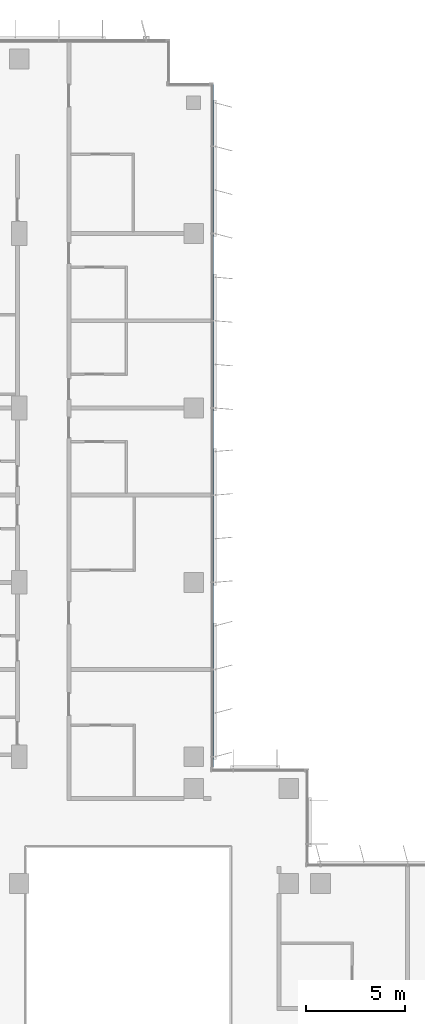
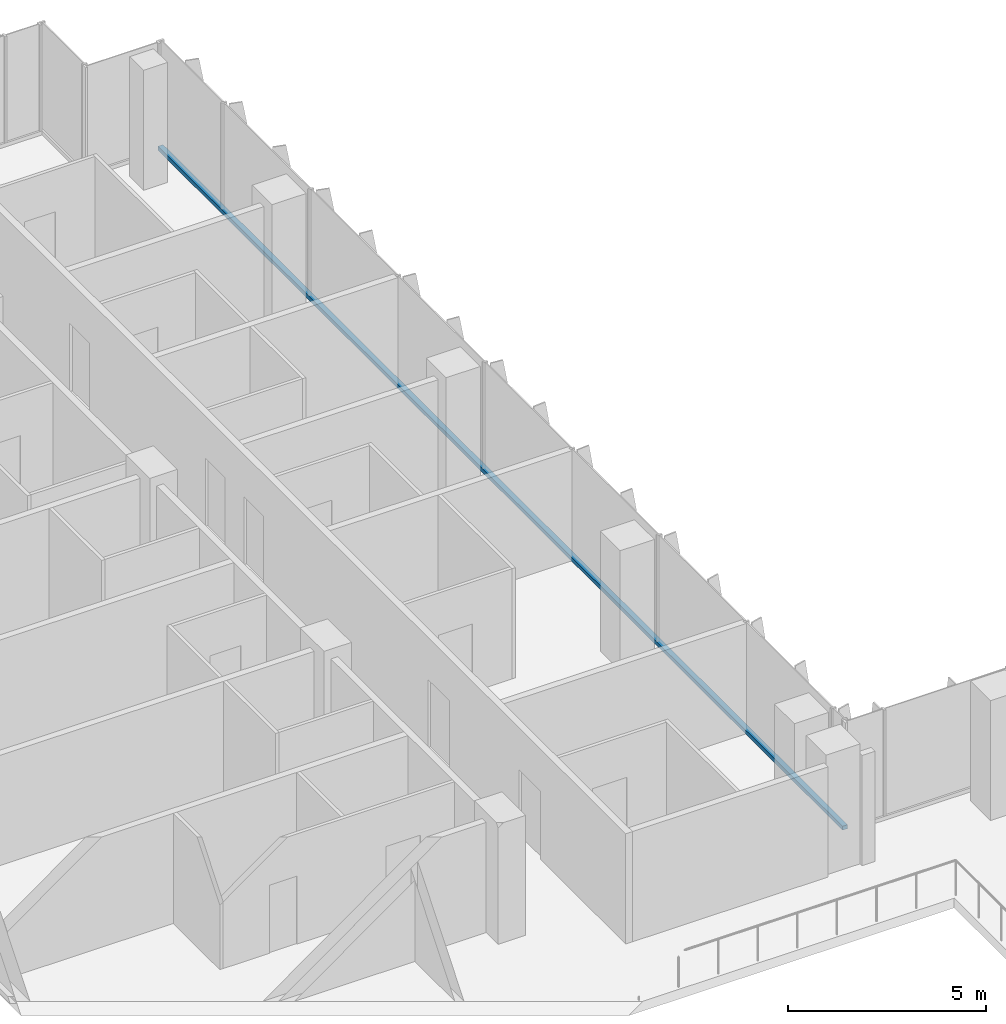
# One storey, part 6 of 21: 1 member, 1 element without a shape of its own.
"""IFC4 building model written with IfcOpenShell, lengths in metres."""

from ifc_helpers import new_model, si_unit, direction, frame, origin, origin_2d, place, context, subcontext, project, spatial, rectangle, extrude, material, material_profile, profile_set, type_object, element, aggregate, save


model = new_model("IFC4")

# Units and contexts
model_context = context("Model", 3, precision=1e-05, world=origin(), true_north=direction((0.0, 1.0)))
body_context = subcontext(model_context, "Body", "Model", "MODEL_VIEW")
ifc_project = project(units=[si_unit("LENGTHUNIT", "METRE"), si_unit("AREAUNIT", "SQUARE_METRE"), si_unit("VOLUMEUNIT", "CUBIC_METRE"), si_unit("PLANEANGLEUNIT", "RADIAN"), si_unit("MASSUNIT", "GRAM", prefix="KILO")], contexts=[model_context])

# Site, building, storey
site_placement = place(None, origin())
site = spatial("IfcSite", under=ifc_project, at=site_placement, CompositionType="ELEMENT")
building_placement = place(site_placement, origin())
building = spatial("IfcBuilding", under=site, at=building_placement, Name="Kemantara Hotel Tower", CompositionType="ELEMENT")
storey_placement = place(building_placement, frame((0.0, 0.0, 160.5)))
storey = spatial("IfcBuildingStorey", under=building, at=storey_placement, Name="L39", CompositionType="ELEMENT", Elevation=160.5)

# Curtain wall, member
ifc_material_1 = material(Name="Low-E tinted double insulated glass 36 mm", Category="glass")
curtain_wall_type = type_object("IfcCurtainWallType", Name="TOWER CURTAIN WALL, FRONT FACES", PredefinedType="USERDEFINED", material=ifc_material_1)
curtain_wall_placement = place(storey_placement, origin())
curtain_wall = element("IfcCurtainWall", 1, at=curtain_wall_placement, inside=storey, type_object=curtain_wall_type, Name="CW4 L39 T3-R17-1", ObjectType="TOWER CURTAIN WALL, FRONT FACES", PredefinedType="USERDEFINED")
ifc_material_2 = material(Name="Aluminium 6063-T6 bronze anodised", Category="aluminium")
ifc_material_profile = material_profile(ifc_material_2, rectangle(XDim=0.14990234375, YDim=0.1201171875, at=origin_2d()), Name="TOWER CURTAIN WALL, FRONT FACES TRANSOM")
ifc_profile_set = profile_set([ifc_material_profile], Name="Aluminium 6063-T6 bronze anodised")
member_type = type_object("IfcMemberType", Name="TOWER CURTAIN WALL, FRONT FACES TRANSOM", PredefinedType="USERDEFINED", material=ifc_profile_set)
member_placement = place(storey_placement, frame((21.925048828125, 26.800048828125, 0.06005859375), z_axis=(0.0, 1.0, 0.0), x_axis=(-1.0, 0.0, 0.0)))
member = element("IfcMember", 2, at=member_placement, type_object=member_type, Name="CW4 sill transom T3-R17-1", ObjectType="TRANSOM", PredefinedType="USERDEFINED", context=body_context, shape_type="SweptSolid", body=[
    extrude(rectangle(XDim=0.14990234375, YDim=0.1201171875, at=origin_2d()), origin(), (0.0, 0.0, 1.0), 34.599853515625),
])
aggregate(curtain_wall, [member])

save(model, "model.ifc")
